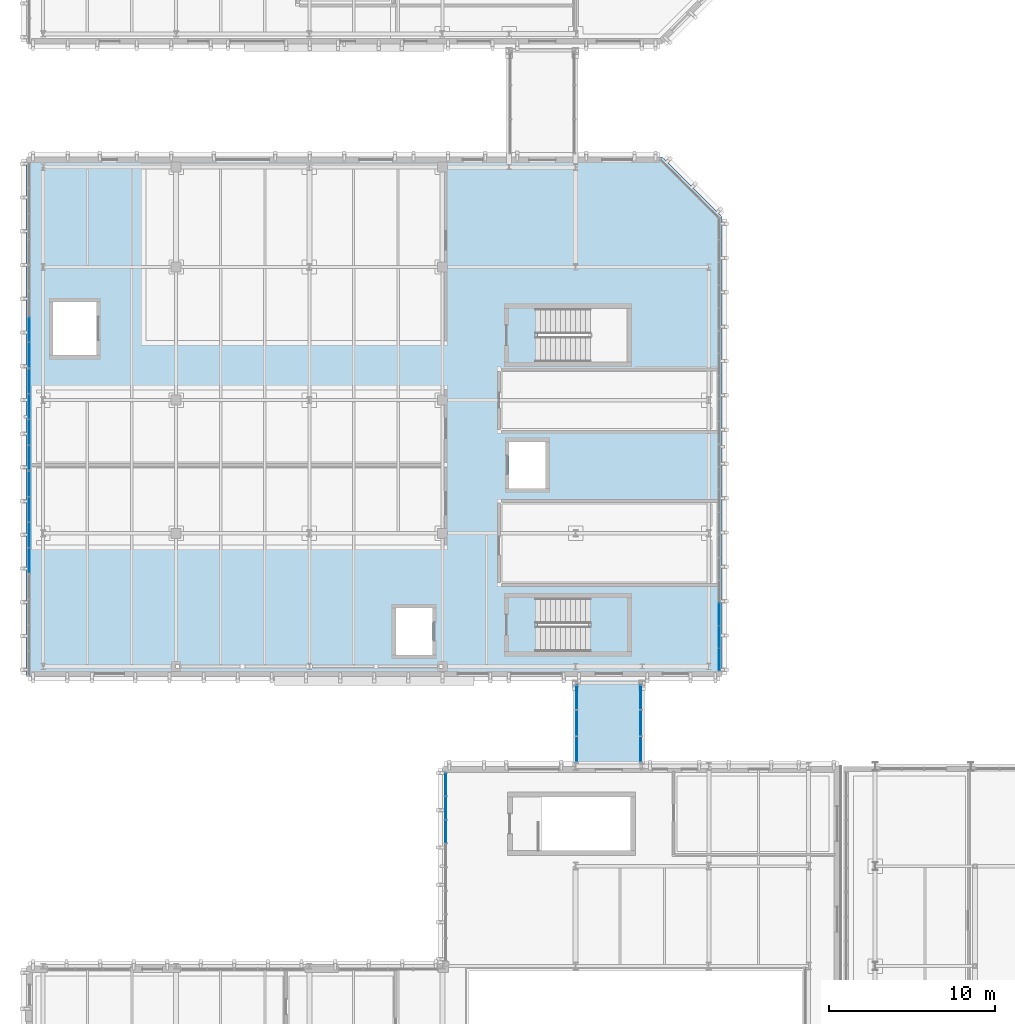
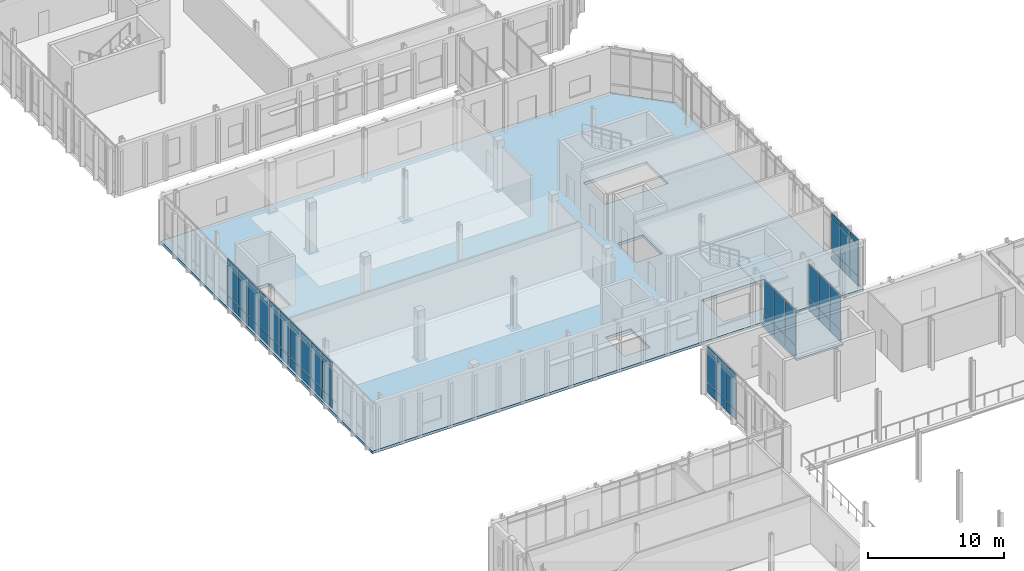
# One storey, part 51 of 100: 60 plates, 3 slabs, 8 elements without a shape of their own.
"""IFC4 building model written with IfcOpenShell, lengths in metres."""

from ifc_helpers import new_model, si_unit, direction, frame, origin, origin_2d, place, context, subcontext, project, spatial, polyline, rectangle, outline, extrude, material, layer, layer_set, type_object, element, aggregate, save


model = new_model("IFC4")

# Units and contexts
model_context = context("Model", 3, precision=1e-05, world=origin(), true_north=direction((0.0, 1.0)))
body_context = subcontext(model_context, "Body", "Model", "MODEL_VIEW")
ifc_project = project(units=[si_unit("LENGTHUNIT", "METRE"), si_unit("AREAUNIT", "SQUARE_METRE"), si_unit("VOLUMEUNIT", "CUBIC_METRE"), si_unit("PLANEANGLEUNIT", "RADIAN"), si_unit("MASSUNIT", "GRAM", prefix="KILO")], contexts=[model_context])

# Site, building, storey
site_placement = place(None, origin())
site = spatial("IfcSite", under=ifc_project, at=site_placement, CompositionType="ELEMENT")
building_placement = place(site_placement, origin())
building = spatial("IfcBuilding", under=site, at=building_placement, Name="Cymarion Research Institute", CompositionType="ELEMENT")
storey_placement = place(building_placement, frame((0.0, 0.0, 9.300048828125)))
storey = spatial("IfcBuildingStorey", under=building, at=storey_placement, Name="L02", CompositionType="ELEMENT", Elevation=9.300048828125)

# Slabs
ifc_material_1 = material(Name="Concrete C35/45", Category="concrete")
ifc_layer_1 = layer(ifc_material_1, 0.159912109375)
ifc_layer_set_1 = layer_set([ifc_layer_1], Name="Concrete C35/45")
slab_type_1 = type_object("IfcSlabType", Name="COMPOSITE FLOOR SLAB SL-BR160 160MM", PredefinedType="FLOOR", material=ifc_layer_set_1)
slab_1_placement = place(storey_placement, frame((0.0, 0.0, -0.16015625)))
element("IfcSlab", 1, at=slab_1_placement, inside=storey, type_object=slab_type_1, Name="L02 SP1 sky-passage composite deck", PredefinedType="FLOOR", context=body_context, shape_type="SweptSolid", body=[
    extrude(outline(polyline([(38.60009765625, 41.5), (42.60009765625, 41.5), (42.60009765625, 46.699951171875), (38.60009765625, 46.699951171875), (38.60009765625, 41.5)])), origin(), (0.0, 0.0, 1.0), 0.16015625),
])
ifc_layer_2 = layer(ifc_material_1, 0.25)
ifc_layer_set_2 = layer_set([ifc_layer_2], Name="Concrete C35/45")
slab_type_2 = type_object("IfcSlabType", Name="COMPOSITE FLOOR SLAB SL-FL250 250MM", PredefinedType="FLOOR", material=ifc_layer_set_2)
slab_2_placement = place(storey_placement, frame((0.0, 0.0, -0.25)))
element("IfcSlab", 2, at=slab_2_placement, inside=storey, type_object=slab_type_2, Name="L02 V4 floor slab", PredefinedType="FLOOR", context=body_context, shape_type="SweptSolid", body=[
    extrude(outline(polyline([(5.60009765625, 46.89990234375), (47.39990234375, 46.89990234375), (47.39990234375, 74.5), (43.800048828125, 78.10009765625), (5.60009765625, 78.10009765625), (5.60009765625, 46.89990234375)]), holes=[polyline([(36.340087890625, 48.39990234375), (41.699951171875, 48.39990234375), (41.699951171875, 51.60009765625), (36.340087890625, 51.60009765625), (36.340087890625, 48.39990234375)]), polyline([(27.800048828125, 48.199951171875), (30.0, 48.199951171875), (30.0, 51.0), (27.800048828125, 51.0), (27.800048828125, 48.199951171875)]), polyline([(36.340087890625, 65.800048828125), (41.699951171875, 65.800048828125), (41.699951171875, 69.0), (36.340087890625, 69.0), (36.340087890625, 65.800048828125)]), polyline([(34.60009765625, 58.199951171875), (36.800048828125, 58.199951171875), (36.800048828125, 61.0), (34.60009765625, 61.0), (34.60009765625, 58.199951171875)]), polyline([(7.199951171875, 66.199951171875), (9.800048828125, 66.199951171875), (9.800048828125, 69.39990234375), (7.199951171875, 69.39990234375), (7.199951171875, 66.199951171875)])]), origin(), (0.0, 0.0, 1.0), 0.25),
])

# Curtain wall, plates
ifc_material_2 = material(Name="Anodised aluminium unitised curtain wall with Low-E glazing", Category="aluminium")
curtain_wall_type_1 = type_object("IfcCurtainWallType", Name="UNITISED CURTAIN WALL CW15 11380X4250", PredefinedType="NOTDEFINED", material=ifc_material_2)
curtain_wall_1_placement = place(storey_placement, origin())
curtain_wall_1 = element("IfcCurtainWall", 3, at=curtain_wall_1_placement, inside=storey, type_object=curtain_wall_type_1, Name="L02 V3 unitised curtain wall CW15 #93", PredefinedType="NOTDEFINED")
ifc_material_3 = material(Name="Insulated anodised aluminium spandrel panel", Category="aluminium")
ifc_layer_3 = layer(ifc_material_3, 0.06005859375)
ifc_layer_set_3 = layer_set([ifc_layer_3], Name="Insulated anodised aluminium spandrel panel")
plate_type_1 = type_object("IfcPlateType", Name="INSULATED ALUMINIUM SPANDREL PANEL SP01 60MM", PredefinedType="SHEET", material=ifc_layer_set_3)
plate_1_placement = place(storey_placement, frame((30.7900390625, 40.411865234375, 0.059814453125), z_axis=(0.0, 0.0, 1.0), x_axis=(0.0, -1.0, 0.0)))
plate_1 = element("IfcPlate", 4, at=plate_1_placement, type_object=plate_type_1, Name="CW15 panel 1.1", PredefinedType="SHEET", context=body_context, shape_type="SweptSolid", body=[
    extrude(rectangle(XDim=1.332275390625, YDim=0.06005859375, at=origin_2d()), origin(), (0.0, 0.0, 1.0), 0.81005859375),
])
plate_2_placement = place(storey_placement, frame((30.7900390625, 40.411865234375, 3.72998046875), z_axis=(0.0, 0.0, 1.0), x_axis=(0.0, -1.0, 0.0)))
plate_2 = element("IfcPlate", 5, at=plate_2_placement, type_object=plate_type_1, Name="CW15 panel 1.3", PredefinedType="SHEET", context=body_context, shape_type="SweptSolid", body=[
    extrude(rectangle(XDim=1.332275390625, YDim=0.06005859375, at=origin_2d()), origin(), (0.0, 0.0, 1.0), 0.4599609375),
])
plate_3_placement = place(storey_placement, frame((30.7900390625, 39.004638671875, 0.059814453125), z_axis=(0.0, 0.0, 1.0), x_axis=(0.0, -1.0, 0.0)))
plate_3 = element("IfcPlate", 6, at=plate_3_placement, type_object=plate_type_1, Name="CW15 panel 2.1", PredefinedType="SHEET", context=body_context, shape_type="SweptSolid", body=[
    extrude(rectangle(XDim=1.3623046875, YDim=0.06005859375, at=origin_2d()), origin(), (0.0, 0.0, 1.0), 0.81005859375),
])
plate_4_placement = place(storey_placement, frame((30.7900390625, 39.004638671875, 3.72998046875), z_axis=(0.0, 0.0, 1.0), x_axis=(0.0, -1.0, 0.0)))
plate_4 = element("IfcPlate", 7, at=plate_4_placement, type_object=plate_type_1, Name="CW15 panel 2.3", PredefinedType="SHEET", context=body_context, shape_type="SweptSolid", body=[
    extrude(rectangle(XDim=1.3623046875, YDim=0.06005859375, at=origin_2d()), origin(), (0.0, 0.0, 1.0), 0.4599609375),
])
plate_5_placement = place(storey_placement, frame((30.7900390625, 37.582275390625, 0.059814453125), z_axis=(0.0, 0.0, 1.0), x_axis=(0.0, -1.0, 0.0)))
plate_5 = element("IfcPlate", 8, at=plate_5_placement, type_object=plate_type_1, Name="CW15 panel 3.1", PredefinedType="SHEET", context=body_context, shape_type="SweptSolid", body=[
    extrude(rectangle(XDim=1.3623046875, YDim=0.06005859375, at=origin_2d()), origin(), (0.0, 0.0, 1.0), 0.81005859375),
])
plate_6_placement = place(storey_placement, frame((30.7900390625, 37.582275390625, 3.72998046875), z_axis=(0.0, 0.0, 1.0), x_axis=(0.0, -1.0, 0.0)))
plate_6 = element("IfcPlate", 9, at=plate_6_placement, type_object=plate_type_1, Name="CW15 panel 3.3", PredefinedType="SHEET", context=body_context, shape_type="SweptSolid", body=[
    extrude(rectangle(XDim=1.3623046875, YDim=0.06005859375, at=origin_2d()), origin(), (0.0, 0.0, 1.0), 0.4599609375),
])

curtain_wall_type_2 = type_object("IfcCurtainWallType", Name="UNITISED CURTAIN WALL CW20 6820X4250", PredefinedType="NOTDEFINED", material=ifc_material_2)
curtain_wall_2_placement = place(storey_placement, origin())
curtain_wall_2 = element("IfcCurtainWall", 10, at=curtain_wall_2_placement, inside=storey, type_object=curtain_wall_type_2, Name="L02 V4 unitised curtain wall CW20 #98", PredefinedType="NOTDEFINED")
plate_7_placement = place(storey_placement, frame((47.22998046875, 47.9189453125, 0.059814453125), z_axis=(0.0, 0.0, 1.0), x_axis=(0.0, 1.0, 0.0)))
plate_7 = element("IfcPlate", 11, at=plate_7_placement, type_object=plate_type_1, Name="CW20 panel 1.1", PredefinedType="SHEET", context=body_context, shape_type="SweptSolid", body=[
    extrude(rectangle(XDim=1.27392578125, YDim=0.06005859375, at=origin_2d()), origin(), (0.0, 0.0, 1.0), 0.81005859375),
])
plate_8_placement = place(storey_placement, frame((47.22998046875, 47.9189453125, 3.72998046875), z_axis=(0.0, 0.0, 1.0), x_axis=(0.0, 1.0, 0.0)))
plate_8 = element("IfcPlate", 12, at=plate_8_placement, type_object=plate_type_1, Name="CW20 panel 1.3", PredefinedType="SHEET", context=body_context, shape_type="SweptSolid", body=[
    extrude(rectangle(XDim=1.27392578125, YDim=0.06005859375, at=origin_2d()), origin(), (0.0, 0.0, 1.0), 0.4599609375),
])
plate_9_placement = place(storey_placement, frame((47.22998046875, 49.267822265625, 0.059814453125), z_axis=(0.0, 0.0, 1.0), x_axis=(0.0, 1.0, 0.0)))
plate_9 = element("IfcPlate", 13, at=plate_9_placement, type_object=plate_type_1, Name="CW20 panel 2.1", PredefinedType="SHEET", context=body_context, shape_type="SweptSolid", body=[
    extrude(rectangle(XDim=1.303955078125, YDim=0.06005859375, at=origin_2d()), origin(), (0.0, 0.0, 1.0), 0.81005859375),
])
plate_10_placement = place(storey_placement, frame((47.22998046875, 49.267822265625, 3.72998046875), z_axis=(0.0, 0.0, 1.0), x_axis=(0.0, 1.0, 0.0)))
plate_10 = element("IfcPlate", 14, at=plate_10_placement, type_object=plate_type_1, Name="CW20 panel 2.3", PredefinedType="SHEET", context=body_context, shape_type="SweptSolid", body=[
    extrude(rectangle(XDim=1.303955078125, YDim=0.06005859375, at=origin_2d()), origin(), (0.0, 0.0, 1.0), 0.4599609375),
])
plate_11_placement = place(storey_placement, frame((47.22998046875, 50.6318359375, 0.059814453125), z_axis=(0.0, 0.0, 1.0), x_axis=(0.0, 1.0, 0.0)))
plate_11 = element("IfcPlate", 15, at=plate_11_placement, type_object=plate_type_1, Name="CW20 panel 3.1", PredefinedType="SHEET", context=body_context, shape_type="SweptSolid", body=[
    extrude(rectangle(XDim=1.303955078125, YDim=0.06005859375, at=origin_2d()), origin(), (0.0, 0.0, 1.0), 0.81005859375),
])
plate_12_placement = place(storey_placement, frame((47.22998046875, 50.6318359375, 3.72998046875), z_axis=(0.0, 0.0, 1.0), x_axis=(0.0, 1.0, 0.0)))
plate_12 = element("IfcPlate", 16, at=plate_12_placement, type_object=plate_type_1, Name="CW20 panel 3.3", PredefinedType="SHEET", context=body_context, shape_type="SweptSolid", body=[
    extrude(rectangle(XDim=1.303955078125, YDim=0.06005859375, at=origin_2d()), origin(), (0.0, 0.0, 1.0), 0.4599609375),
])

curtain_wall_type_3 = type_object("IfcCurtainWallType", Name="UNITISED CURTAIN WALL CW22 6180X4250", PredefinedType="NOTDEFINED", material=ifc_material_2)
curtain_wall_3_placement = place(storey_placement, origin())
curtain_wall_3 = element("IfcCurtainWall", 17, at=curtain_wall_3_placement, inside=storey, type_object=curtain_wall_type_3, Name="L02 V4 unitised curtain wall CW22 #104", PredefinedType="NOTDEFINED")
plate_13_placement = place(storey_placement, frame((5.77001953125, 67.74267578125, 0.059814453125), z_axis=(0.0, 0.0, 1.0), x_axis=(0.0, -1.0, 0.0)))
plate_13 = element("IfcPlate", 18, at=plate_13_placement, type_object=plate_type_1, Name="CW22 panel 3.1", PredefinedType="SHEET", context=body_context, shape_type="SweptSolid", body=[
    extrude(rectangle(XDim=1.48388671875, YDim=0.06005859375, at=origin_2d()), origin(), (0.0, 0.0, 1.0), 0.81005859375),
])
plate_14_placement = place(storey_placement, frame((5.77001953125, 67.74267578125, 3.72998046875), z_axis=(0.0, 0.0, 1.0), x_axis=(0.0, -1.0, 0.0)))
plate_14 = element("IfcPlate", 19, at=plate_14_placement, type_object=plate_type_1, Name="CW22 panel 3.3", PredefinedType="SHEET", context=body_context, shape_type="SweptSolid", body=[
    extrude(rectangle(XDim=1.48388671875, YDim=0.06005859375, at=origin_2d()), origin(), (0.0, 0.0, 1.0), 0.4599609375),
])
plate_15_placement = place(storey_placement, frame((5.77001953125, 66.2138671875, 0.059814453125), z_axis=(0.0, 0.0, 1.0), x_axis=(0.0, -1.0, 0.0)))
plate_15 = element("IfcPlate", 20, at=plate_15_placement, type_object=plate_type_1, Name="CW22 panel 4.1", PredefinedType="SHEET", context=body_context, shape_type="SweptSolid", body=[
    extrude(rectangle(XDim=1.453857421875, YDim=0.06005859375, at=origin_2d()), origin(), (0.0, 0.0, 1.0), 0.81005859375),
])
plate_16_placement = place(storey_placement, frame((5.77001953125, 66.2138671875, 3.72998046875), z_axis=(0.0, 0.0, 1.0), x_axis=(0.0, -1.0, 0.0)))
plate_16 = element("IfcPlate", 21, at=plate_16_placement, type_object=plate_type_1, Name="CW22 panel 4.3", PredefinedType="SHEET", context=body_context, shape_type="SweptSolid", body=[
    extrude(rectangle(XDim=1.453857421875, YDim=0.06005859375, at=origin_2d()), origin(), (0.0, 0.0, 1.0), 0.4599609375),
])

curtain_wall_4_placement = place(storey_placement, origin())
curtain_wall_4 = element("IfcCurtainWall", 22, at=curtain_wall_4_placement, inside=storey, type_object=curtain_wall_type_3, Name="L02 V4 unitised curtain wall CW22 #105", PredefinedType="NOTDEFINED")
plate_17_placement = place(storey_placement, frame((5.77001953125, 64.639892578125, 0.059814453125), z_axis=(0.0, 0.0, 1.0), x_axis=(0.0, -1.0, 0.0)))
plate_17 = element("IfcPlate", 23, at=plate_17_placement, type_object=plate_type_1, Name="CW22 panel 1.1", PredefinedType="SHEET", context=body_context, shape_type="SweptSolid", body=[
    extrude(rectangle(XDim=1.453857421875, YDim=0.06005859375, at=origin_2d()), origin(), (0.0, 0.0, 1.0), 0.81005859375),
])
plate_18_placement = place(storey_placement, frame((5.77001953125, 64.639892578125, 3.72998046875), z_axis=(0.0, 0.0, 1.0), x_axis=(0.0, -1.0, 0.0)))
plate_18 = element("IfcPlate", 24, at=plate_18_placement, type_object=plate_type_1, Name="CW22 panel 1.3", PredefinedType="SHEET", context=body_context, shape_type="SweptSolid", body=[
    extrude(rectangle(XDim=1.453857421875, YDim=0.06005859375, at=origin_2d()), origin(), (0.0, 0.0, 1.0), 0.4599609375),
])
plate_19_placement = place(storey_placement, frame((5.77001953125, 63.11083984375, 0.059814453125), z_axis=(0.0, 0.0, 1.0), x_axis=(0.0, -1.0, 0.0)))
plate_19 = element("IfcPlate", 25, at=plate_19_placement, type_object=plate_type_1, Name="CW22 panel 2.1", PredefinedType="SHEET", context=body_context, shape_type="SweptSolid", body=[
    extrude(rectangle(XDim=1.48388671875, YDim=0.06005859375, at=origin_2d()), origin(), (0.0, 0.0, 1.0), 0.81005859375),
])
plate_20_placement = place(storey_placement, frame((5.77001953125, 63.11083984375, 3.72998046875), z_axis=(0.0, 0.0, 1.0), x_axis=(0.0, -1.0, 0.0)))
plate_20 = element("IfcPlate", 26, at=plate_20_placement, type_object=plate_type_1, Name="CW22 panel 2.3", PredefinedType="SHEET", context=body_context, shape_type="SweptSolid", body=[
    extrude(rectangle(XDim=1.48388671875, YDim=0.06005859375, at=origin_2d()), origin(), (0.0, 0.0, 1.0), 0.4599609375),
])
plate_21_placement = place(storey_placement, frame((5.77001953125, 61.567138671875, 0.059814453125), z_axis=(0.0, 0.0, 1.0), x_axis=(0.0, -1.0, 0.0)))
plate_21 = element("IfcPlate", 27, at=plate_21_placement, type_object=plate_type_1, Name="CW22 panel 3.1", PredefinedType="SHEET", context=body_context, shape_type="SweptSolid", body=[
    extrude(rectangle(XDim=1.48388671875, YDim=0.06005859375, at=origin_2d()), origin(), (0.0, 0.0, 1.0), 0.81005859375),
])
plate_22_placement = place(storey_placement, frame((5.77001953125, 61.567138671875, 3.72998046875), z_axis=(0.0, 0.0, 1.0), x_axis=(0.0, -1.0, 0.0)))
plate_22 = element("IfcPlate", 28, at=plate_22_placement, type_object=plate_type_1, Name="CW22 panel 3.3", PredefinedType="SHEET", context=body_context, shape_type="SweptSolid", body=[
    extrude(rectangle(XDim=1.48388671875, YDim=0.06005859375, at=origin_2d()), origin(), (0.0, 0.0, 1.0), 0.4599609375),
])
plate_23_placement = place(storey_placement, frame((5.77001953125, 60.0380859375, 0.059814453125), z_axis=(0.0, 0.0, 1.0), x_axis=(0.0, -1.0, 0.0)))
plate_23 = element("IfcPlate", 29, at=plate_23_placement, type_object=plate_type_1, Name="CW22 panel 4.1", PredefinedType="SHEET", context=body_context, shape_type="SweptSolid", body=[
    extrude(rectangle(XDim=1.453857421875, YDim=0.06005859375, at=origin_2d()), origin(), (0.0, 0.0, 1.0), 0.81005859375),
])
plate_24_placement = place(storey_placement, frame((5.77001953125, 60.0380859375, 3.72998046875), z_axis=(0.0, 0.0, 1.0), x_axis=(0.0, -1.0, 0.0)))
plate_24 = element("IfcPlate", 30, at=plate_24_placement, type_object=plate_type_1, Name="CW22 panel 4.3", PredefinedType="SHEET", context=body_context, shape_type="SweptSolid", body=[
    extrude(rectangle(XDim=1.453857421875, YDim=0.06005859375, at=origin_2d()), origin(), (0.0, 0.0, 1.0), 0.4599609375),
])

curtain_wall_5_placement = place(storey_placement, origin())
curtain_wall_5 = element("IfcCurtainWall", 31, at=curtain_wall_5_placement, inside=storey, type_object=curtain_wall_type_3, Name="L02 V4 unitised curtain wall CW22 #106", PredefinedType="NOTDEFINED")
plate_25_placement = place(storey_placement, frame((5.77001953125, 58.46435546875, 0.059814453125), z_axis=(0.0, 0.0, 1.0), x_axis=(0.0, -1.0, 0.0)))
plate_25 = element("IfcPlate", 32, at=plate_25_placement, type_object=plate_type_1, Name="CW22 panel 1.1", PredefinedType="SHEET", context=body_context, shape_type="SweptSolid", body=[
    extrude(rectangle(XDim=1.453857421875, YDim=0.06005859375, at=origin_2d()), origin(), (0.0, 0.0, 1.0), 0.81005859375),
])
plate_26_placement = place(storey_placement, frame((5.77001953125, 58.46435546875, 3.72998046875), z_axis=(0.0, 0.0, 1.0), x_axis=(0.0, -1.0, 0.0)))
plate_26 = element("IfcPlate", 33, at=plate_26_placement, type_object=plate_type_1, Name="CW22 panel 1.3", PredefinedType="SHEET", context=body_context, shape_type="SweptSolid", body=[
    extrude(rectangle(XDim=1.453857421875, YDim=0.06005859375, at=origin_2d()), origin(), (0.0, 0.0, 1.0), 0.4599609375),
])
plate_27_placement = place(storey_placement, frame((5.77001953125, 56.935302734375, 0.059814453125), z_axis=(0.0, 0.0, 1.0), x_axis=(0.0, -1.0, 0.0)))
plate_27 = element("IfcPlate", 34, at=plate_27_placement, type_object=plate_type_1, Name="CW22 panel 2.1", PredefinedType="SHEET", context=body_context, shape_type="SweptSolid", body=[
    extrude(rectangle(XDim=1.48388671875, YDim=0.06005859375, at=origin_2d()), origin(), (0.0, 0.0, 1.0), 0.81005859375),
])
plate_28_placement = place(storey_placement, frame((5.77001953125, 56.935302734375, 3.72998046875), z_axis=(0.0, 0.0, 1.0), x_axis=(0.0, -1.0, 0.0)))
plate_28 = element("IfcPlate", 35, at=plate_28_placement, type_object=plate_type_1, Name="CW22 panel 2.3", PredefinedType="SHEET", context=body_context, shape_type="SweptSolid", body=[
    extrude(rectangle(XDim=1.48388671875, YDim=0.06005859375, at=origin_2d()), origin(), (0.0, 0.0, 1.0), 0.4599609375),
])
plate_29_placement = place(storey_placement, frame((5.77001953125, 55.391357421875, 0.059814453125), z_axis=(0.0, 0.0, 1.0), x_axis=(0.0, -1.0, 0.0)))
plate_29 = element("IfcPlate", 36, at=plate_29_placement, type_object=plate_type_1, Name="CW22 panel 3.1", PredefinedType="SHEET", context=body_context, shape_type="SweptSolid", body=[
    extrude(rectangle(XDim=1.48388671875, YDim=0.06005859375, at=origin_2d()), origin(), (0.0, 0.0, 1.0), 0.81005859375),
])
plate_30_placement = place(storey_placement, frame((5.77001953125, 55.391357421875, 3.72998046875), z_axis=(0.0, 0.0, 1.0), x_axis=(0.0, -1.0, 0.0)))
plate_30 = element("IfcPlate", 37, at=plate_30_placement, type_object=plate_type_1, Name="CW22 panel 3.3", PredefinedType="SHEET", context=body_context, shape_type="SweptSolid", body=[
    extrude(rectangle(XDim=1.48388671875, YDim=0.06005859375, at=origin_2d()), origin(), (0.0, 0.0, 1.0), 0.4599609375),
])
plate_31_placement = place(storey_placement, frame((5.77001953125, 53.862548828125, 0.059814453125), z_axis=(0.0, 0.0, 1.0), x_axis=(0.0, -1.0, 0.0)))
plate_31 = element("IfcPlate", 38, at=plate_31_placement, type_object=plate_type_1, Name="CW22 panel 4.1", PredefinedType="SHEET", context=body_context, shape_type="SweptSolid", body=[
    extrude(rectangle(XDim=1.453857421875, YDim=0.06005859375, at=origin_2d()), origin(), (0.0, 0.0, 1.0), 0.81005859375),
])
plate_32_placement = place(storey_placement, frame((5.77001953125, 53.862548828125, 3.72998046875), z_axis=(0.0, 0.0, 1.0), x_axis=(0.0, -1.0, 0.0)))
plate_32 = element("IfcPlate", 39, at=plate_32_placement, type_object=plate_type_1, Name="CW22 panel 4.3", PredefinedType="SHEET", context=body_context, shape_type="SweptSolid", body=[
    extrude(rectangle(XDim=1.453857421875, YDim=0.06005859375, at=origin_2d()), origin(), (0.0, 0.0, 1.0), 0.4599609375),
])

curtain_wall_type_4 = type_object("IfcCurtainWallType", Name="UNITISED CURTAIN WALL CW24 4800X4260", PredefinedType="NOTDEFINED", material=ifc_material_2)
curtain_wall_6_placement = place(storey_placement, origin())
curtain_wall_6 = element("IfcCurtainWall", 40, at=curtain_wall_6_placement, inside=storey, type_object=curtain_wall_type_4, Name="L02 SP1 sky-passage glazed wall 1", PredefinedType="NOTDEFINED")
plate_33_placement = place(storey_placement, frame((38.679931640625, 42.514892578125, 0.06005859375), z_axis=(0.0, 0.0, 1.0), x_axis=(0.0, 1.0, 0.0)))
plate_33 = element("IfcPlate", 41, at=plate_33_placement, type_object=plate_type_1, Name="CW24 panel 1.1", PredefinedType="SHEET", context=body_context, shape_type="SweptSolid", body=[
    extrude(rectangle(XDim=1.510009765625, YDim=0.06005859375, at=origin_2d()), origin(), (0.0, 0.0, 1.0), 0.9599609375),
])
plate_34_placement = place(storey_placement, frame((38.679931640625, 44.10009765625, 0.06005859375), z_axis=(0.0, 0.0, 1.0), x_axis=(0.0, 1.0, 0.0)))
plate_34 = element("IfcPlate", 42, at=plate_34_placement, type_object=plate_type_1, Name="CW24 panel 2.1", PredefinedType="SHEET", context=body_context, shape_type="SweptSolid", body=[
    extrude(rectangle(XDim=1.5400390625, YDim=0.06005859375, at=origin_2d()), origin(), (0.0, 0.0, 1.0), 0.9599609375),
])
plate_35_placement = place(storey_placement, frame((38.679931640625, 45.68505859375, 0.06005859375), z_axis=(0.0, 0.0, 1.0), x_axis=(0.0, 1.0, 0.0)))
plate_35 = element("IfcPlate", 43, at=plate_35_placement, type_object=plate_type_1, Name="CW24 panel 3.1", PredefinedType="SHEET", context=body_context, shape_type="SweptSolid", body=[
    extrude(rectangle(XDim=1.510009765625, YDim=0.06005859375, at=origin_2d()), origin(), (0.0, 0.0, 1.0), 0.9599609375),
])

curtain_wall_7_placement = place(storey_placement, origin())
curtain_wall_7 = element("IfcCurtainWall", 44, at=curtain_wall_7_placement, inside=storey, type_object=curtain_wall_type_4, Name="L02 SP1 sky-passage glazed wall 2", PredefinedType="NOTDEFINED")
plate_36_placement = place(storey_placement, frame((42.52001953125, 42.514892578125, 0.06005859375), z_axis=(0.0, 0.0, 1.0), x_axis=(0.0, 1.0, 0.0)))
plate_36 = element("IfcPlate", 45, at=plate_36_placement, type_object=plate_type_1, Name="CW24 panel 1.1", PredefinedType="SHEET", context=body_context, shape_type="SweptSolid", body=[
    extrude(rectangle(XDim=1.510009765625, YDim=0.06005859375, at=origin_2d()), origin(), (0.0, 0.0, 1.0), 0.9599609375),
])
plate_37_placement = place(storey_placement, frame((42.52001953125, 44.10009765625, 0.06005859375), z_axis=(0.0, 0.0, 1.0), x_axis=(0.0, 1.0, 0.0)))
plate_37 = element("IfcPlate", 46, at=plate_37_placement, type_object=plate_type_1, Name="CW24 panel 2.1", PredefinedType="SHEET", context=body_context, shape_type="SweptSolid", body=[
    extrude(rectangle(XDim=1.5400390625, YDim=0.06005859375, at=origin_2d()), origin(), (0.0, 0.0, 1.0), 0.9599609375),
])
plate_38_placement = place(storey_placement, frame((42.52001953125, 45.68505859375, 0.06005859375), z_axis=(0.0, 0.0, 1.0), x_axis=(0.0, 1.0, 0.0)))
plate_38 = element("IfcPlate", 47, at=plate_38_placement, type_object=plate_type_1, Name="CW24 panel 3.1", PredefinedType="SHEET", context=body_context, shape_type="SweptSolid", body=[
    extrude(rectangle(XDim=1.510009765625, YDim=0.06005859375, at=origin_2d()), origin(), (0.0, 0.0, 1.0), 0.9599609375),
])

# Stair, slab
stair_type = type_object("IfcStairType", Name="REINFORCED CONCRETE DOGLEG STAIR STR-4500", PredefinedType="HALF_TURN_STAIR", material=ifc_material_1)
stair_placement = place(storey_placement, origin())
stair = element("IfcStair", 48, at=stair_placement, inside=storey, type_object=stair_type, Name="L02 Core C7 Smoke-Proof Exit Stair ST7", PredefinedType="HALF_TURN_STAIR")
ifc_layer_4 = layer(ifc_material_1, 0.199951171875)
ifc_layer_set_4 = layer_set([ifc_layer_4], Name="Concrete C35/45")
slab_type_3 = type_object("IfcSlabType", Name="REINFORCED CONCRETE STAIR LANDING LDG200", PredefinedType="LANDING", material=ifc_layer_set_4)
slab_3_placement = place(storey_placement, frame((0.0, 0.0, 2.050048828125)))
slab_3 = element("IfcSlab", 49, at=slab_3_placement, type_object=slab_type_3, Name="ST7 landing 1", PredefinedType="LANDING", context=body_context, shape_type="SweptSolid", body=[
    extrude(outline(polyline([(39.3798828125, 48.280029296875), (39.3798828125, 51.719970703125), (41.820068359375, 51.719970703125), (41.820068359375, 48.280029296875), (39.3798828125, 48.280029296875)])), origin(), (0.0, 0.0, 1.0), 0.199951171875),
])
aggregate(stair, [slab_3])

# Plate
ifc_material_4 = material(Name="Low-E double solar-control glazing", Category="glass")
ifc_layer_5 = layer(ifc_material_4, 0.035888671875)
ifc_layer_set_5 = layer_set([ifc_layer_5], Name="Low-E double solar-control glazing")
plate_type_2 = type_object("IfcPlateType", Name="SOLAR CONTROL GLAZED VISION PANEL GP01 36MM", PredefinedType="CURTAIN_PANEL", material=ifc_layer_set_5)
plate_39_placement = place(storey_placement, frame((30.7900390625, 40.411865234375, 0.93017578125), z_axis=(0.0, 0.0, 1.0), x_axis=(0.0, -1.0, 0.0)))
plate_39 = element("IfcPlate", 50, at=plate_39_placement, type_object=plate_type_2, Name="CW15 panel 1.2", PredefinedType="CURTAIN_PANEL", context=body_context, shape_type="SweptSolid", body=[
    extrude(rectangle(XDim=1.332275390625, YDim=0.035888671875, at=origin_2d()), origin(), (0.0, 0.0, 1.0), 2.739990234375),
])

plate_40_placement = place(storey_placement, frame((30.7900390625, 39.004638671875, 0.93017578125), z_axis=(0.0, 0.0, 1.0), x_axis=(0.0, -1.0, 0.0)))
plate_40 = element("IfcPlate", 51, at=plate_40_placement, type_object=plate_type_2, Name="CW15 panel 2.2", PredefinedType="CURTAIN_PANEL", context=body_context, shape_type="SweptSolid", body=[
    extrude(rectangle(XDim=1.3623046875, YDim=0.035888671875, at=origin_2d()), origin(), (0.0, 0.0, 1.0), 2.739990234375),
])

plate_41_placement = place(storey_placement, frame((30.7900390625, 37.582275390625, 0.93017578125), z_axis=(0.0, 0.0, 1.0), x_axis=(0.0, -1.0, 0.0)))
plate_41 = element("IfcPlate", 52, at=plate_41_placement, type_object=plate_type_2, Name="CW15 panel 3.2", PredefinedType="CURTAIN_PANEL", context=body_context, shape_type="SweptSolid", body=[
    extrude(rectangle(XDim=1.3623046875, YDim=0.035888671875, at=origin_2d()), origin(), (0.0, 0.0, 1.0), 2.739990234375),
])

aggregate(curtain_wall_1, [plate_1, plate_39, plate_2, plate_3, plate_40, plate_4, plate_5, plate_41, plate_6])

plate_42_placement = place(storey_placement, frame((47.22998046875, 47.9189453125, 0.93017578125), z_axis=(0.0, 0.0, 1.0), x_axis=(0.0, 1.0, 0.0)))
plate_42 = element("IfcPlate", 53, at=plate_42_placement, type_object=plate_type_2, Name="CW20 panel 1.2", PredefinedType="CURTAIN_PANEL", context=body_context, shape_type="SweptSolid", body=[
    extrude(rectangle(XDim=1.27392578125, YDim=0.035888671875, at=origin_2d()), origin(), (0.0, 0.0, 1.0), 2.739990234375),
])

plate_43_placement = place(storey_placement, frame((47.22998046875, 49.267822265625, 0.93017578125), z_axis=(0.0, 0.0, 1.0), x_axis=(0.0, 1.0, 0.0)))
plate_43 = element("IfcPlate", 54, at=plate_43_placement, type_object=plate_type_2, Name="CW20 panel 2.2", PredefinedType="CURTAIN_PANEL", context=body_context, shape_type="SweptSolid", body=[
    extrude(rectangle(XDim=1.303955078125, YDim=0.035888671875, at=origin_2d()), origin(), (0.0, 0.0, 1.0), 2.739990234375),
])

plate_44_placement = place(storey_placement, frame((47.22998046875, 50.6318359375, 0.93017578125), z_axis=(0.0, 0.0, 1.0), x_axis=(0.0, 1.0, 0.0)))
plate_44 = element("IfcPlate", 55, at=plate_44_placement, type_object=plate_type_2, Name="CW20 panel 3.2", PredefinedType="CURTAIN_PANEL", context=body_context, shape_type="SweptSolid", body=[
    extrude(rectangle(XDim=1.303955078125, YDim=0.035888671875, at=origin_2d()), origin(), (0.0, 0.0, 1.0), 2.739990234375),
])

aggregate(curtain_wall_2, [plate_7, plate_42, plate_8, plate_9, plate_43, plate_10, plate_11, plate_44, plate_12])

plate_45_placement = place(storey_placement, frame((5.77001953125, 67.74267578125, 0.93017578125), z_axis=(0.0, 0.0, 1.0), x_axis=(0.0, -1.0, 0.0)))
plate_45 = element("IfcPlate", 56, at=plate_45_placement, type_object=plate_type_2, Name="CW22 panel 3.2", PredefinedType="CURTAIN_PANEL", context=body_context, shape_type="SweptSolid", body=[
    extrude(rectangle(XDim=1.48388671875, YDim=0.035888671875, at=origin_2d()), origin(), (0.0, 0.0, 1.0), 2.739990234375),
])

plate_46_placement = place(storey_placement, frame((5.77001953125, 66.2138671875, 0.93017578125), z_axis=(0.0, 0.0, 1.0), x_axis=(0.0, -1.0, 0.0)))
plate_46 = element("IfcPlate", 57, at=plate_46_placement, type_object=plate_type_2, Name="CW22 panel 4.2", PredefinedType="CURTAIN_PANEL", context=body_context, shape_type="SweptSolid", body=[
    extrude(rectangle(XDim=1.453857421875, YDim=0.035888671875, at=origin_2d()), origin(), (0.0, 0.0, 1.0), 2.739990234375),
])

aggregate(curtain_wall_3, [plate_13, plate_45, plate_14, plate_15, plate_46, plate_16])

plate_47_placement = place(storey_placement, frame((5.77001953125, 64.639892578125, 0.93017578125), z_axis=(0.0, 0.0, 1.0), x_axis=(0.0, -1.0, 0.0)))
plate_47 = element("IfcPlate", 58, at=plate_47_placement, type_object=plate_type_2, Name="CW22 panel 1.2", PredefinedType="CURTAIN_PANEL", context=body_context, shape_type="SweptSolid", body=[
    extrude(rectangle(XDim=1.453857421875, YDim=0.035888671875, at=origin_2d()), origin(), (0.0, 0.0, 1.0), 2.739990234375),
])

plate_48_placement = place(storey_placement, frame((5.77001953125, 63.11083984375, 0.93017578125), z_axis=(0.0, 0.0, 1.0), x_axis=(0.0, -1.0, 0.0)))
plate_48 = element("IfcPlate", 59, at=plate_48_placement, type_object=plate_type_2, Name="CW22 panel 2.2", PredefinedType="CURTAIN_PANEL", context=body_context, shape_type="SweptSolid", body=[
    extrude(rectangle(XDim=1.48388671875, YDim=0.035888671875, at=origin_2d()), origin(), (0.0, 0.0, 1.0), 2.739990234375),
])

plate_49_placement = place(storey_placement, frame((5.77001953125, 61.567138671875, 0.93017578125), z_axis=(0.0, 0.0, 1.0), x_axis=(0.0, -1.0, 0.0)))
plate_49 = element("IfcPlate", 60, at=plate_49_placement, type_object=plate_type_2, Name="CW22 panel 3.2", PredefinedType="CURTAIN_PANEL", context=body_context, shape_type="SweptSolid", body=[
    extrude(rectangle(XDim=1.48388671875, YDim=0.035888671875, at=origin_2d()), origin(), (0.0, 0.0, 1.0), 2.739990234375),
])

plate_50_placement = place(storey_placement, frame((5.77001953125, 60.0380859375, 0.93017578125), z_axis=(0.0, 0.0, 1.0), x_axis=(0.0, -1.0, 0.0)))
plate_50 = element("IfcPlate", 61, at=plate_50_placement, type_object=plate_type_2, Name="CW22 panel 4.2", PredefinedType="CURTAIN_PANEL", context=body_context, shape_type="SweptSolid", body=[
    extrude(rectangle(XDim=1.453857421875, YDim=0.035888671875, at=origin_2d()), origin(), (0.0, 0.0, 1.0), 2.739990234375),
])

aggregate(curtain_wall_4, [plate_17, plate_47, plate_18, plate_19, plate_48, plate_20, plate_21, plate_49, plate_22, plate_23, plate_50, plate_24])

plate_51_placement = place(storey_placement, frame((5.77001953125, 58.46435546875, 0.93017578125), z_axis=(0.0, 0.0, 1.0), x_axis=(0.0, -1.0, 0.0)))
plate_51 = element("IfcPlate", 62, at=plate_51_placement, type_object=plate_type_2, Name="CW22 panel 1.2", PredefinedType="CURTAIN_PANEL", context=body_context, shape_type="SweptSolid", body=[
    extrude(rectangle(XDim=1.453857421875, YDim=0.035888671875, at=origin_2d()), origin(), (0.0, 0.0, 1.0), 2.739990234375),
])

plate_52_placement = place(storey_placement, frame((5.77001953125, 56.935302734375, 0.93017578125), z_axis=(0.0, 0.0, 1.0), x_axis=(0.0, -1.0, 0.0)))
plate_52 = element("IfcPlate", 63, at=plate_52_placement, type_object=plate_type_2, Name="CW22 panel 2.2", PredefinedType="CURTAIN_PANEL", context=body_context, shape_type="SweptSolid", body=[
    extrude(rectangle(XDim=1.48388671875, YDim=0.035888671875, at=origin_2d()), origin(), (0.0, 0.0, 1.0), 2.739990234375),
])

plate_53_placement = place(storey_placement, frame((5.77001953125, 55.391357421875, 0.93017578125), z_axis=(0.0, 0.0, 1.0), x_axis=(0.0, -1.0, 0.0)))
plate_53 = element("IfcPlate", 64, at=plate_53_placement, type_object=plate_type_2, Name="CW22 panel 3.2", PredefinedType="CURTAIN_PANEL", context=body_context, shape_type="SweptSolid", body=[
    extrude(rectangle(XDim=1.48388671875, YDim=0.035888671875, at=origin_2d()), origin(), (0.0, 0.0, 1.0), 2.739990234375),
])

plate_54_placement = place(storey_placement, frame((5.77001953125, 53.862548828125, 0.93017578125), z_axis=(0.0, 0.0, 1.0), x_axis=(0.0, -1.0, 0.0)))
plate_54 = element("IfcPlate", 65, at=plate_54_placement, type_object=plate_type_2, Name="CW22 panel 4.2", PredefinedType="CURTAIN_PANEL", context=body_context, shape_type="SweptSolid", body=[
    extrude(rectangle(XDim=1.453857421875, YDim=0.035888671875, at=origin_2d()), origin(), (0.0, 0.0, 1.0), 2.739990234375),
])

aggregate(curtain_wall_5, [plate_25, plate_51, plate_26, plate_27, plate_52, plate_28, plate_29, plate_53, plate_30, plate_31, plate_54, plate_32])

plate_55_placement = place(storey_placement, frame((38.679931640625, 42.514892578125, 1.079833984375), z_axis=(0.0, 0.0, 1.0), x_axis=(0.0, 1.0, 0.0)))
plate_55 = element("IfcPlate", 66, at=plate_55_placement, type_object=plate_type_2, Name="CW24 panel 1.2", PredefinedType="CURTAIN_PANEL", context=body_context, shape_type="SweptSolid", body=[
    extrude(rectangle(XDim=1.510009765625, YDim=0.035888671875, at=origin_2d()), origin(), (0.0, 0.0, 1.0), 3.1201171875),
])

plate_56_placement = place(storey_placement, frame((38.679931640625, 44.10009765625, 1.079833984375), z_axis=(0.0, 0.0, 1.0), x_axis=(0.0, 1.0, 0.0)))
plate_56 = element("IfcPlate", 67, at=plate_56_placement, type_object=plate_type_2, Name="CW24 panel 2.2", PredefinedType="CURTAIN_PANEL", context=body_context, shape_type="SweptSolid", body=[
    extrude(rectangle(XDim=1.5400390625, YDim=0.035888671875, at=origin_2d()), origin(), (0.0, 0.0, 1.0), 3.1201171875),
])

plate_57_placement = place(storey_placement, frame((38.679931640625, 45.68505859375, 1.079833984375), z_axis=(0.0, 0.0, 1.0), x_axis=(0.0, 1.0, 0.0)))
plate_57 = element("IfcPlate", 68, at=plate_57_placement, type_object=plate_type_2, Name="CW24 panel 3.2", PredefinedType="CURTAIN_PANEL", context=body_context, shape_type="SweptSolid", body=[
    extrude(rectangle(XDim=1.510009765625, YDim=0.035888671875, at=origin_2d()), origin(), (0.0, 0.0, 1.0), 3.1201171875),
])

aggregate(curtain_wall_6, [plate_33, plate_55, plate_34, plate_56, plate_35, plate_57])

plate_58_placement = place(storey_placement, frame((42.52001953125, 42.514892578125, 1.079833984375), z_axis=(0.0, 0.0, 1.0), x_axis=(0.0, 1.0, 0.0)))
plate_58 = element("IfcPlate", 69, at=plate_58_placement, type_object=plate_type_2, Name="CW24 panel 1.2", PredefinedType="CURTAIN_PANEL", context=body_context, shape_type="SweptSolid", body=[
    extrude(rectangle(XDim=1.510009765625, YDim=0.035888671875, at=origin_2d()), origin(), (0.0, 0.0, 1.0), 3.1201171875),
])

plate_59_placement = place(storey_placement, frame((42.52001953125, 44.10009765625, 1.079833984375), z_axis=(0.0, 0.0, 1.0), x_axis=(0.0, 1.0, 0.0)))
plate_59 = element("IfcPlate", 70, at=plate_59_placement, type_object=plate_type_2, Name="CW24 panel 2.2", PredefinedType="CURTAIN_PANEL", context=body_context, shape_type="SweptSolid", body=[
    extrude(rectangle(XDim=1.5400390625, YDim=0.035888671875, at=origin_2d()), origin(), (0.0, 0.0, 1.0), 3.1201171875),
])

plate_60_placement = place(storey_placement, frame((42.52001953125, 45.68505859375, 1.079833984375), z_axis=(0.0, 0.0, 1.0), x_axis=(0.0, 1.0, 0.0)))
plate_60 = element("IfcPlate", 71, at=plate_60_placement, type_object=plate_type_2, Name="CW24 panel 3.2", PredefinedType="CURTAIN_PANEL", context=body_context, shape_type="SweptSolid", body=[
    extrude(rectangle(XDim=1.510009765625, YDim=0.035888671875, at=origin_2d()), origin(), (0.0, 0.0, 1.0), 3.1201171875),
])

aggregate(curtain_wall_7, [plate_36, plate_58, plate_37, plate_59, plate_38, plate_60])

save(model, "model.ifc")
